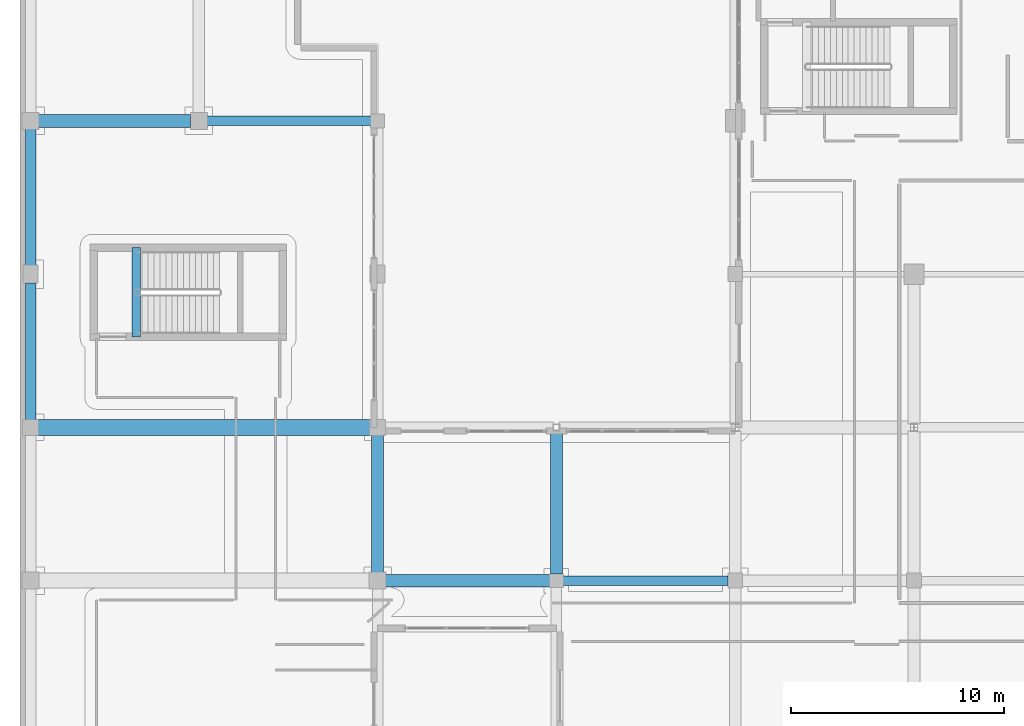
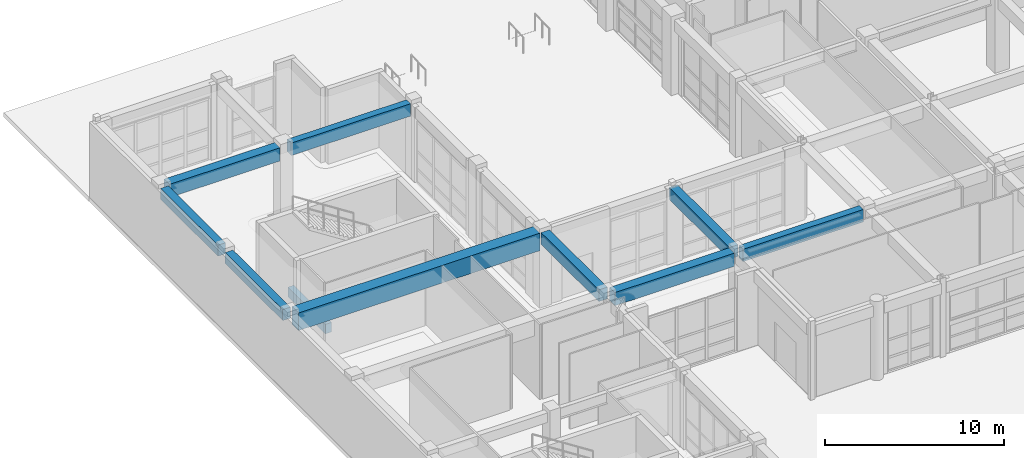
# One storey, part 41 of 148: 10 beams.
"""IFC4 building model written with IfcOpenShell, lengths in metres."""

from ifc_helpers import new_model, si_unit, direction, frame, origin, origin_2d, place, context, subcontext, project, spatial, rectangle, extrude, material, material_profile, profile_set, type_object, element, save


model = new_model("IFC4")

# Units and contexts
model_context = context("Model", 3, precision=1e-05, world=origin(), true_north=direction((0.0, 1.0)))
body_context = subcontext(model_context, "Body", "Model", "MODEL_VIEW")
ifc_project = project(units=[si_unit("LENGTHUNIT", "METRE"), si_unit("AREAUNIT", "SQUARE_METRE"), si_unit("VOLUMEUNIT", "CUBIC_METRE"), si_unit("PLANEANGLEUNIT", "RADIAN"), si_unit("MASSUNIT", "GRAM", prefix="KILO")], contexts=[model_context])

# Site, building, storey
site_placement = place(None, origin())
site = spatial("IfcSite", under=ifc_project, at=site_placement, CompositionType="ELEMENT")
building_placement = place(site_placement, origin())
building = spatial("IfcBuilding", under=site, at=building_placement, Name="Quendrovan Civic Courthouse", CompositionType="ELEMENT")
storey_placement = place(building_placement, origin())
storey = spatial("IfcBuildingStorey", under=building, at=storey_placement, Name="L01", CompositionType="ELEMENT", Elevation=0.0)

# Beams
ifc_material_1 = material(Name="Post-tensioned concrete C50/60", Category="concrete")
ifc_material_profile_1 = material_profile(ifc_material_1, rectangle(XDim=0.75, YDim=1.199951171875, at=origin_2d()), Name="PT-GIRD-750x1200")
ifc_profile_set_1 = profile_set([ifc_material_profile_1], Name="Post-tensioned concrete C50/60")
beam_type_1 = type_object("IfcBeamType", Name="BM-PT1200", PredefinedType="BEAM", material=ifc_profile_set_1)
beam_1_placement = place(storey_placement, frame((0.85498046875, 80.39990234375, 4.52001953125), z_axis=(1.0, 0.0, 0.0), x_axis=(0.0, 1.0, 0.0)))
element("IfcBeam", 1, at=beam_1_placement, inside=storey, type_object=beam_type_1, Name="L01 Girder X0308", PredefinedType="BEAM", context=body_context, shape_type="SweptSolid", body=[
    extrude(rectangle(XDim=0.75, YDim=1.199951171875, at=origin_2d()), origin(), (0.0, 0.0, 1.0), 15.590087890625),
])
ifc_material_2 = material(Name="Concrete C40/50", Category="concrete")
ifc_material_profile_2 = material_profile(ifc_material_2, rectangle(XDim=0.39990234375, YDim=0.64990234375, at=origin_2d()), Name="RC-BM-400x650")
ifc_profile_set_2 = profile_set([ifc_material_profile_2], Name="Concrete C40/50")
beam_type_2 = type_object("IfcBeamType", Name="BM-RC650", PredefinedType="JOIST", material=ifc_profile_set_2)
beam_2_placement = place(storey_placement, frame((5.449951171875, 84.64990234375, -0.324951171875), z_axis=(0.0, 1.0, 0.0), x_axis=(-1.0, 0.0, 0.0)))
element("IfcBeam", 2, at=beam_2_placement, inside=storey, type_object=beam_type_2, Name="L01 Stair ST8 Landing Trimmer Beam", PredefinedType="JOIST", context=body_context, shape_type="SweptSolid", body=[
    extrude(rectangle(XDim=0.39990234375, YDim=0.64990234375, at=origin_2d()), origin(), (0.0, 0.0, 1.0), 4.2001953125),
])
ifc_material_profile_3 = material_profile(ifc_material_2, rectangle(XDim=0.5, YDim=0.75, at=origin_2d()), Name="RC-BM-500x750")
ifc_profile_set_3 = profile_set([ifc_material_profile_3], Name="Concrete C40/50")
beam_type_3 = type_object("IfcBeamType", Name="BM-RC750", PredefinedType="SPANDREL", material=ifc_profile_set_3)
beam_3_placement = place(storey_placement, frame((0.5, 80.7548828125, 4.7451171875), z_axis=(0.0, 1.0, 0.0), x_axis=(-1.0, 0.0, 0.0)))
element("IfcBeam", 3, at=beam_3_placement, inside=storey, type_object=beam_type_3, Name="L01 Girder Y0380", PredefinedType="SPANDREL", context=body_context, shape_type="SweptSolid", body=[
    extrude(rectangle(XDim=0.5, YDim=0.75, at=origin_2d()), origin(), (0.0, 0.0, 1.0), 6.440185546875),
])
beam_4_placement = place(storey_placement, frame((0.5, 88.0048828125, 4.7451171875), z_axis=(0.0, 1.0, 0.0), x_axis=(-1.0, 0.0, 0.0)))
element("IfcBeam", 4, at=beam_4_placement, inside=storey, type_object=beam_type_3, Name="L01 Girder Y0381", PredefinedType="SPANDREL", context=body_context, shape_type="SweptSolid", body=[
    extrude(rectangle(XDim=0.5, YDim=0.75, at=origin_2d()), origin(), (0.0, 0.0, 1.0), 6.4150390625),
])
ifc_material_profile_4 = material_profile(ifc_material_2, rectangle(XDim=0.550048828125, YDim=0.800048828125, at=origin_2d()), Name="RC-BM-550x800")
ifc_profile_set_4 = profile_set([ifc_material_profile_4], Name="Concrete C40/50")
beam_type_4 = type_object("IfcBeamType", Name="BM-RC800", PredefinedType="BEAM", material=ifc_profile_set_4)
beam_5_placement = place(storey_placement, frame((16.800048828125, 73.580078125, 4.719970703125), z_axis=(0.0, 1.0, 0.0), x_axis=(-1.0, 0.0, 0.0)))
element("IfcBeam", 5, at=beam_5_placement, inside=storey, type_object=beam_type_4, Name="L01 Girder Y0396", PredefinedType="BEAM", context=body_context, shape_type="SweptSolid", body=[
    extrude(rectangle(XDim=0.550048828125, YDim=0.800048828125, at=origin_2d()), origin(), (0.0, 0.0, 1.0), 6.46484375),
])
beam_6_placement = place(storey_placement, frame((25.199951171875, 73.5048828125, 4.719970703125), z_axis=(0.0, 1.0, 0.0), x_axis=(-1.0, 0.0, 0.0)))
element("IfcBeam", 6, at=beam_6_placement, inside=storey, type_object=beam_type_4, Name="L01 Girder Y0402", PredefinedType="BEAM", context=body_context, shape_type="SweptSolid", body=[
    extrude(rectangle(XDim=0.550048828125, YDim=0.800048828125, at=origin_2d()), origin(), (0.0, 0.0, 1.0), 6.76513671875),
])
ifc_material_3 = material(Name="Concrete C45/55", Category="concrete")
ifc_material_profile_5 = material_profile(ifc_material_3, rectangle(XDim=0.449951171875, YDim=0.85009765625, at=origin_2d()), Name="RC-BM-450x850")
ifc_profile_set_5 = profile_set([ifc_material_profile_5], Name="Concrete C45/55")
beam_type_5 = type_object("IfcBeamType", Name="BM-RC850", PredefinedType="BEAM", material=ifc_profile_set_5)
beam_7_placement = place(storey_placement, frame((25.5048828125, 73.199951171875, 4.695068359375), z_axis=(1.0, 0.0, 0.0), x_axis=(0.0, 1.0, 0.0)))
element("IfcBeam", 7, at=beam_7_placement, inside=storey, type_object=beam_type_5, Name="L01 Girder X0302", PredefinedType="BEAM", context=body_context, shape_type="SweptSolid", body=[
    extrude(rectangle(XDim=0.449951171875, YDim=0.85009765625, at=origin_2d()), origin(), (0.0, 0.0, 1.0), 7.76513671875),
])
beam_8_placement = place(storey_placement, frame((8.780029296875, 94.800048828125, 4.695068359375), z_axis=(1.0, 0.0, 0.0), x_axis=(0.0, 1.0, 0.0)))
element("IfcBeam", 8, at=beam_8_placement, inside=storey, type_object=beam_type_5, Name="L01 Girder X0332", PredefinedType="BEAM", context=body_context, shape_type="SweptSolid", body=[
    extrude(rectangle(XDim=0.449951171875, YDim=0.85009765625, at=origin_2d()), origin(), (0.0, 0.0, 1.0), 7.715087890625),
])
ifc_material_profile_6 = material_profile(ifc_material_2, rectangle(XDim=0.60009765625, YDim=0.89990234375, at=origin_2d()), Name="RC-BM-600x900")
ifc_profile_set_6 = profile_set([ifc_material_profile_6], Name="Concrete C40/50")
beam_type_6 = type_object("IfcBeamType", Name="BM-RC900", PredefinedType="BEAM", material=ifc_profile_set_6)
beam_9_placement = place(storey_placement, frame((17.179931640625, 73.199951171875, 4.669921875), z_axis=(1.0, 0.0, 0.0), x_axis=(0.0, 1.0, 0.0)))
element("IfcBeam", 9, at=beam_9_placement, inside=storey, type_object=beam_type_6, Name="L01 Girder X0301", PredefinedType="BEAM", context=body_context, shape_type="SweptSolid", body=[
    extrude(rectangle(XDim=0.60009765625, YDim=0.89990234375, at=origin_2d()), origin(), (0.0, 0.0, 1.0), 7.715087890625),
])
beam_10_placement = place(storey_placement, frame((0.8798828125, 94.800048828125, 4.669921875), z_axis=(1.0, 0.0, 0.0), x_axis=(0.0, 1.0, 0.0)))
element("IfcBeam", 10, at=beam_10_placement, inside=storey, type_object=beam_type_6, Name="L01 Girder X0331", PredefinedType="BEAM", context=body_context, shape_type="SweptSolid", body=[
    extrude(rectangle(XDim=0.60009765625, YDim=0.89990234375, at=origin_2d()), origin(), (0.0, 0.0, 1.0), 7.14013671875),
])

save(model, "model.ifc")
